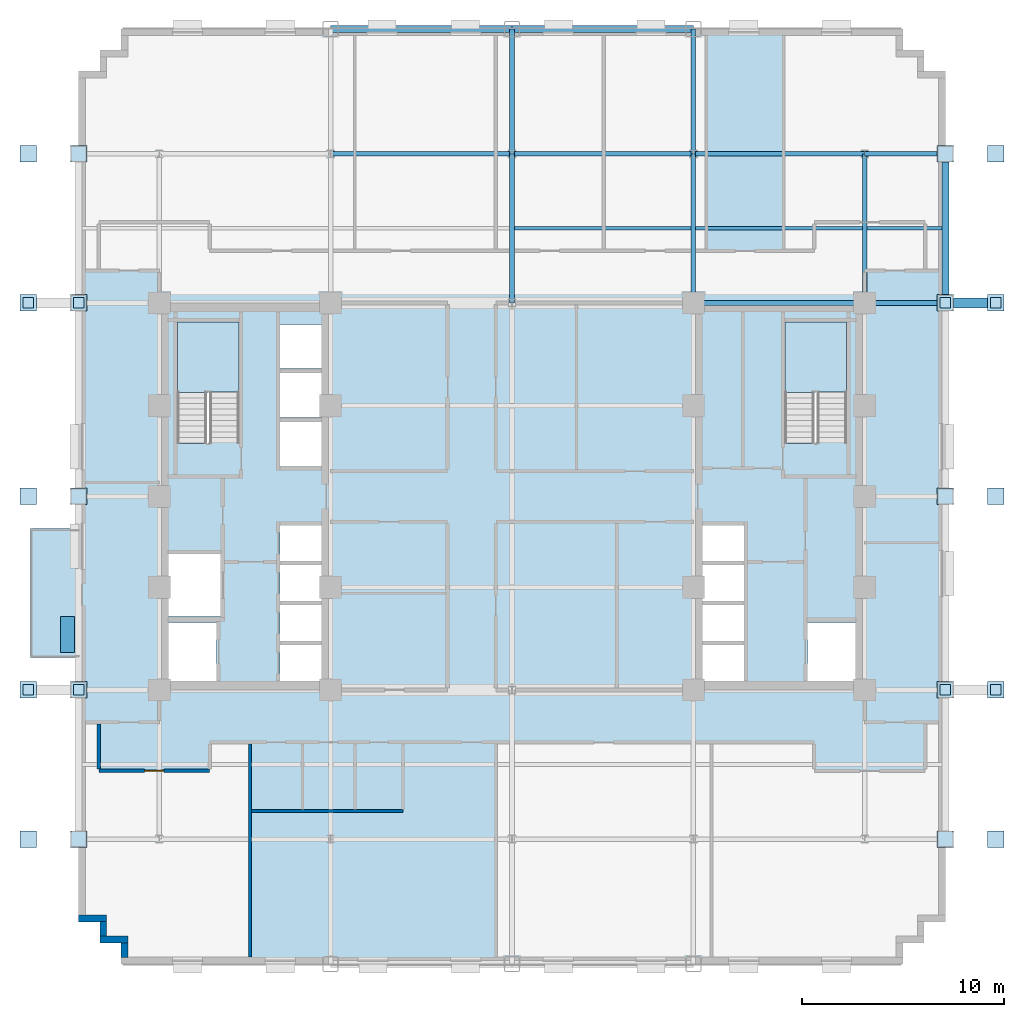
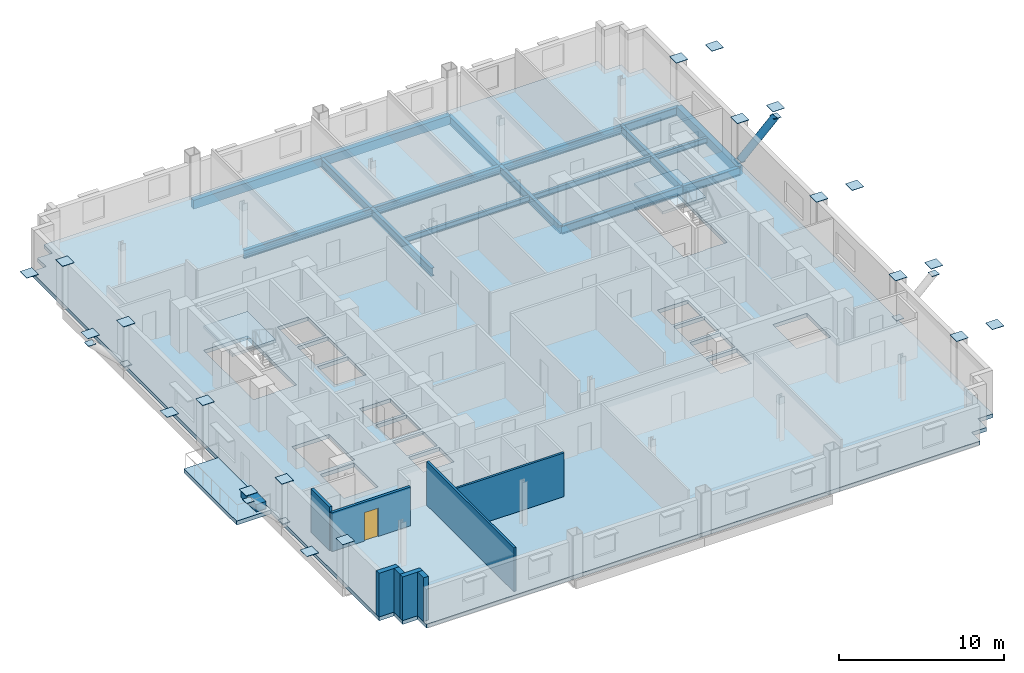
# One storey, part 5 of 13: 29 plates, 17 beams, 8 walls, 4 slabs, 1 door, 1 member, 1 opening, 2 elements without a shape of their own.
"""IFC4 building model written with IfcOpenShell, lengths in metres."""

from ifc_helpers import new_model, si_unit, direction, frame, frame_2d, origin, origin_2d, place, context, subcontext, project, spatial, polyline, rectangle, hollow_circle, i_section, outline, extrude, source, transform, mapped, material, layer, layer_set, material_profile, profile_set, type_object, type_shapes, element, fill, aggregate, save


model = new_model("IFC4")

# Units and contexts
model_context = context("Model", 3, precision=1e-05, world=origin(), true_north=direction((0.0, 1.0)))
body_context = subcontext(model_context, "Body", "Model", "MODEL_VIEW")
ifc_project = project(units=[si_unit("LENGTHUNIT", "METRE"), si_unit("AREAUNIT", "SQUARE_METRE"), si_unit("VOLUMEUNIT", "CUBIC_METRE"), si_unit("PLANEANGLEUNIT", "RADIAN"), si_unit("MASSUNIT", "GRAM", prefix="KILO")], contexts=[model_context])

# Site, building, storey
site_placement = place(None, origin())
site = spatial("IfcSite", under=ifc_project, at=site_placement, CompositionType="ELEMENT")
building_placement = place(site_placement, origin())
building = spatial("IfcBuilding", under=site, at=building_placement, Name="Nuvemarco Arch Tower", CompositionType="ELEMENT")
storey_placement = place(building_placement, frame((0.0, 0.0, 82.35009765625)))
storey = spatial("IfcBuildingStorey", under=building, at=storey_placement, Name="L21", CompositionType="ELEMENT", Elevation=82.35009765625)

# Beams
ifc_material_1 = material(Name="Steel S355", Category="steel")
ifc_material_profile_1 = material_profile(ifc_material_1, i_section(OverallWidth=0.22998046875, OverallDepth=0.616943359375, WebThickness=0.01318359375, FlangeThickness=0.022216796875, FilletRadius=0.01611328125, at=origin_2d()), Name="W610x140")
ifc_profile_set_1 = profile_set([ifc_material_profile_1], Name="Steel S355")
beam_type_1 = type_object("IfcBeamType", Name="BM-GIRD-610", PredefinedType="BEAM", material=ifc_profile_set_1)
beam_1_placement = place(storey_placement, frame((0.0, 9.60009765625, -0.588623046875), z_axis=(0.0, 1.0, 0.0), x_axis=(-1.0, 0.0, 0.0)))
element("IfcBeam", 1, at=beam_1_placement, inside=storey, type_object=beam_type_1, Name="L21 structural beam BGNS_L21_0_+0.0_+9.6", PredefinedType="BEAM", context=body_context, shape_type="SweptSolid", body=[
    extrude(i_section(OverallWidth=0.22998046875, OverallDepth=0.616943359375, WebThickness=0.01318359375, FlangeThickness=0.022216796875, FilletRadius=0.01611328125, at=origin_2d()), origin(), (0.0, 0.0, 1.0), 7.39990234375),
])
beam_2_placement = place(storey_placement, frame((0.0, 17.0, -0.588623046875), z_axis=(0.0, 1.0, 0.0), x_axis=(-1.0, 0.0, 0.0)))
element("IfcBeam", 2, at=beam_2_placement, inside=storey, type_object=beam_type_1, Name="L21 structural beam BGNS_L21_0_+0.0_+17.0", PredefinedType="BEAM", context=body_context, shape_type="SweptSolid", body=[
    extrude(i_section(OverallWidth=0.22998046875, OverallDepth=0.616943359375, WebThickness=0.01318359375, FlangeThickness=0.022216796875, FilletRadius=0.01611328125, at=origin_2d()), origin(), (0.0, 0.0, 1.0), 6.199951171875),
])
beam_3_placement = place(storey_placement, frame((9.0, 9.60009765625, -0.588623046875), z_axis=(0.0, 1.0, 0.0), x_axis=(-1.0, 0.0, 0.0)))
element("IfcBeam", 3, at=beam_3_placement, inside=storey, type_object=beam_type_1, Name="L21 structural beam BGNS_L21_0_+9.0_+9.6", PredefinedType="BEAM", context=body_context, shape_type="SweptSolid", body=[
    extrude(i_section(OverallWidth=0.22998046875, OverallDepth=0.616943359375, WebThickness=0.01318359375, FlangeThickness=0.022216796875, FilletRadius=0.01611328125, at=origin_2d()), origin(), (0.0, 0.0, 1.0), 7.39990234375),
])
beam_4_placement = place(storey_placement, frame((9.0, 17.0, -0.588623046875), z_axis=(0.0, 1.0, 0.0), x_axis=(-1.0, 0.0, 0.0)))
element("IfcBeam", 4, at=beam_4_placement, inside=storey, type_object=beam_type_1, Name="L21 structural beam BGNS_L21_0_+9.0_+17.0", PredefinedType="BEAM", context=body_context, shape_type="SweptSolid", body=[
    extrude(i_section(OverallWidth=0.22998046875, OverallDepth=0.616943359375, WebThickness=0.01318359375, FlangeThickness=0.022216796875, FilletRadius=0.01611328125, at=origin_2d()), origin(), (0.0, 0.0, 1.0), 6.199951171875),
])
beam_5_placement = place(storey_placement, frame((17.5, 9.60009765625, -0.588623046875), z_axis=(0.0, 1.0, 0.0), x_axis=(-1.0, 0.0, 0.0)))
element("IfcBeam", 5, at=beam_5_placement, inside=storey, type_object=beam_type_1, Name="L21 structural beam BGNS_L21_0_+17.5_+9.6", PredefinedType="BEAM", context=body_context, shape_type="SweptSolid", body=[
    extrude(i_section(OverallWidth=0.22998046875, OverallDepth=0.616943359375, WebThickness=0.01318359375, FlangeThickness=0.022216796875, FilletRadius=0.01611328125, at=origin_2d()), origin(), (0.0, 0.0, 1.0), 7.39990234375),
])
beam_6_placement = place(storey_placement, frame((9.0, 9.60009765625, -0.588623046875), z_axis=(1.0, 0.0, 0.0), x_axis=(0.0, 1.0, 0.0)))
element("IfcBeam", 6, at=beam_6_placement, inside=storey, type_object=beam_type_1, Name="L21 structural beam BGEW_L21_0_+9.6_+9.0", PredefinedType="BEAM", context=body_context, shape_type="SweptSolid", body=[
    extrude(i_section(OverallWidth=0.22998046875, OverallDepth=0.616943359375, WebThickness=0.01318359375, FlangeThickness=0.022216796875, FilletRadius=0.01611328125, at=origin_2d()), origin(), (0.0, 0.0, 1.0), 8.5),
])
beam_7_placement = place(storey_placement, frame((17.5, 9.60009765625, -0.588623046875), z_axis=(1.0, 0.0, 0.0), x_axis=(0.0, 1.0, 0.0)))
element("IfcBeam", 7, at=beam_7_placement, inside=storey, type_object=beam_type_1, Name="L21 structural beam BGEW_L21_0_+9.6_+17.5", PredefinedType="BEAM", context=body_context, shape_type="SweptSolid", body=[
    extrude(i_section(OverallWidth=0.22998046875, OverallDepth=0.616943359375, WebThickness=0.01318359375, FlangeThickness=0.022216796875, FilletRadius=0.01611328125, at=origin_2d()), origin(), (0.0, 0.0, 1.0), 4.0),
])
for number, where, z_axis, x_axis, name in (
    (8, (-9.0, 17.0, -0.588623046875), (1.0, 0.0, 0.0), (0.0, 1.0, 0.0), "L21 structural beam BGEW_L21_0_+17.0_-9.0"),
    (9, (0.0, 17.0, -0.588623046875), (1.0, 0.0, 0.0), (0.0, 1.0, 0.0), "L21 structural beam BGEW_L21_0_+17.0_+0.0"),
):
    element("IfcBeam", number, at=place(storey_placement, frame(where, z_axis=z_axis, x_axis=x_axis)), inside=storey, type_object=beam_type_1, Name=name, PredefinedType="BEAM", context=body_context, shape_type="SweptSolid", body=[
        extrude(i_section(OverallWidth=0.22998046875, OverallDepth=0.616943359375, WebThickness=0.01318359375, FlangeThickness=0.022216796875, FilletRadius=0.01611328125, at=origin_2d()), origin(), (0.0, 0.0, 1.0), 9.0),
    ])
beam_8_placement = place(storey_placement, frame((9.0, 17.0, -0.588623046875), z_axis=(1.0, 0.0, 0.0), x_axis=(0.0, 1.0, 0.0)))
element("IfcBeam", 10, at=beam_8_placement, inside=storey, type_object=beam_type_1, Name="L21 structural beam BGEW_L21_0_+17.0_+9.0", PredefinedType="BEAM", context=body_context, shape_type="SweptSolid", body=[
    extrude(i_section(OverallWidth=0.22998046875, OverallDepth=0.616943359375, WebThickness=0.01318359375, FlangeThickness=0.022216796875, FilletRadius=0.01611328125, at=origin_2d()), origin(), (0.0, 0.0, 1.0), 8.5),
])
beam_9_placement = place(storey_placement, frame((17.5, 17.0, -0.588623046875), z_axis=(1.0, 0.0, 0.0), x_axis=(0.0, 1.0, 0.0)))
element("IfcBeam", 11, at=beam_9_placement, inside=storey, type_object=beam_type_1, Name="L21 structural beam BGEW_L21_0_+17.0_+17.5", PredefinedType="BEAM", context=body_context, shape_type="SweptSolid", body=[
    extrude(i_section(OverallWidth=0.22998046875, OverallDepth=0.616943359375, WebThickness=0.01318359375, FlangeThickness=0.022216796875, FilletRadius=0.01611328125, at=origin_2d()), origin(), (0.0, 0.0, 1.0), 4.0),
])
ifc_material_profile_2 = material_profile(ifc_material_1, i_section(OverallWidth=0.179931640625, OverallDepth=0.4130859375, WebThickness=0.009765625, FlangeThickness=0.01611328125, FilletRadius=0.014892578125, at=origin_2d()), Name="W410x75")
ifc_profile_set_2 = profile_set([ifc_material_profile_2], Name="Steel S355")
beam_type_2 = type_object("IfcBeamType", Name="BM-JOIST-410", PredefinedType="JOIST", material=ifc_profile_set_2)
beam_10_placement = place(storey_placement, frame((0.114990234375, 13.300048828125, -0.486572265625), z_axis=(1.0, 0.0, 0.0), x_axis=(0.0, 1.0, 0.0)))
element("IfcBeam", 12, at=beam_10_placement, inside=storey, type_object=beam_type_2, Name="L21 structural beam BJ_L21_0_+13.3_+0.0", PredefinedType="JOIST", context=body_context, shape_type="SweptSolid", body=[
    extrude(i_section(OverallWidth=0.179931640625, OverallDepth=0.4130859375, WebThickness=0.009765625, FlangeThickness=0.01611328125, FilletRadius=0.014892578125, at=origin_2d()), origin(), (0.0, 0.0, 1.0), 8.77001953125),
])
beam_11_placement = place(storey_placement, frame((9.114990234375, 13.300048828125, -0.486572265625), z_axis=(1.0, 0.0, 0.0), x_axis=(0.0, 1.0, 0.0)))
element("IfcBeam", 13, at=beam_11_placement, inside=storey, type_object=beam_type_2, Name="L21 structural beam BJ_L21_0_+13.3_+9.0", PredefinedType="JOIST", context=body_context, shape_type="SweptSolid", body=[
    extrude(i_section(OverallWidth=0.179931640625, OverallDepth=0.4130859375, WebThickness=0.009765625, FlangeThickness=0.01611328125, FilletRadius=0.014892578125, at=origin_2d()), origin(), (0.0, 0.0, 1.0), 8.27001953125),
])
beam_12_placement = place(storey_placement, frame((17.614990234375, 13.300048828125, -0.486572265625), z_axis=(1.0, 0.0, 0.0), x_axis=(0.0, 1.0, 0.0)))
element("IfcBeam", 14, at=beam_12_placement, inside=storey, type_object=beam_type_2, Name="L21 structural beam BJ_L21_0_+13.3_+17.5", PredefinedType="JOIST", context=body_context, shape_type="SweptSolid", body=[
    extrude(i_section(OverallWidth=0.179931640625, OverallDepth=0.4130859375, WebThickness=0.009765625, FlangeThickness=0.01611328125, FilletRadius=0.014892578125, at=origin_2d()), origin(), (0.0, 0.0, 1.0), 3.7099609375),
])
ifc_material_2 = material(Name="Precast concrete C45/55", Category="concrete")
ifc_material_profile_3 = material_profile(ifc_material_2, rectangle(XDim=0.35009765625, YDim=0.64990234375, at=origin_2d()), Name="PC-SP-350x650")
ifc_profile_set_3 = profile_set([ifc_material_profile_3], Name="Precast concrete C45/55")
beam_type_3 = type_object("IfcBeamType", Name="BM-SPAN-RC", PredefinedType="SPANDREL", material=ifc_profile_set_3)
beam_13_placement = place(storey_placement, frame((21.5, 9.60009765625, -0.60498046875), z_axis=(0.0, 1.0, 0.0), x_axis=(-1.0, 0.0, 0.0)))
element("IfcBeam", 15, at=beam_13_placement, inside=storey, type_object=beam_type_3, Name="L21 structural beam BGNS_L21_0_+21.5_+9.6", PredefinedType="SPANDREL", context=body_context, shape_type="SweptSolid", body=[
    extrude(rectangle(XDim=0.35009765625, YDim=0.64990234375, at=origin_2d()), origin(), (0.0, 0.0, 1.0), 7.39990234375),
])
for number, where, z_axis, x_axis, name in (
    (16, (-9.0, 23.199951171875, -0.60498046875), (1.0, 0.0, 0.0), (0.0, 1.0, 0.0), "L21 structural beam BGEW_L21_0_+23.2_-9.0"),
    (17, (0.0, 23.199951171875, -0.60498046875), (1.0, 0.0, 0.0), (0.0, 1.0, 0.0), "L21 structural beam BGEW_L21_0_+23.2_+0.0"),
):
    element("IfcBeam", number, at=place(storey_placement, frame(where, z_axis=z_axis, x_axis=x_axis)), inside=storey, type_object=beam_type_3, Name=name, PredefinedType="SPANDREL", context=body_context, shape_type="SweptSolid", body=[
        extrude(rectangle(XDim=0.35009765625, YDim=0.64990234375, at=origin_2d()), origin(), (0.0, 0.0, 1.0), 9.0),
    ])

# Member
ifc_material_profile_4 = material_profile(ifc_material_1, hollow_circle(Radius=0.25390625, WallThickness=0.031982421875, at=origin_2d()), Name="CHS508x32")
ifc_profile_set_4 = profile_set([ifc_material_profile_4], Name="Steel S355")
member_type = type_object("IfcMemberType", Name="MB-RAKER-CANT", PredefinedType="STRUT", material=ifc_profile_set_4)
member_placement = place(storey_placement, frame((21.5, 9.60009765625, 0.14990234375), z_axis=(0.721401399021, 0.0, 0.692517163318), x_axis=(0.0, 1.0, 0.0)))
element("IfcMember", 18, at=member_placement, inside=storey, type_object=member_type, Name="L21 outward-step steel raker strut E", PredefinedType="STRUT", context=body_context, shape_type="SweptSolid", body=[
    extrude(hollow_circle(Radius=0.25390625, WallThickness=0.031982421875, at=origin_2d()), origin(), (0.0, 0.0, 1.0), 3.465576171875),
])

# Slab
ifc_material_3 = material(Name="Concrete C50/60", Category="concrete")
ifc_layer_1 = layer(ifc_material_3, 0.280029296875, Name="SL-FLR-280")
ifc_layer_set_1 = layer_set([ifc_layer_1], Name="Concrete C50/60")
slab_type_1 = type_object("IfcSlabType", Name="SL-FLR-280", PredefinedType="FLOOR", material=ifc_layer_set_1)
slab_1_placement = place(storey_placement, frame((0.0, 0.0, -0.280029296875)))
element("IfcSlab", 19, at=slab_1_placement, inside=storey, type_object=slab_type_1, Name="L21 structural floor slab", PredefinedType="FLOOR", context=body_context, shape_type="SweptSolid", body=[
    extrude(outline(polyline([(-19.39990234375, -23.199951171875), (19.39990234375, -23.199951171875), (19.39990234375, -22.14990234375), (20.449951171875, -22.14990234375), (20.449951171875, -21.10009765625), (21.5, -21.10009765625), (21.5, 21.10009765625), (20.449951171875, 21.10009765625), (20.449951171875, 22.14990234375), (19.39990234375, 22.14990234375), (19.39990234375, 23.199951171875), (-19.39990234375, 23.199951171875), (-19.39990234375, 22.14990234375), (-20.449951171875, 22.14990234375), (-20.449951171875, 21.10009765625), (-21.5, 21.10009765625), (-21.5, -21.10009765625), (-20.449951171875, -21.10009765625), (-20.449951171875, -22.14990234375), (-19.39990234375, -22.14990234375), (-19.39990234375, -23.199951171875)]), holes=[polyline([(-13.5400390625, 2.669921875), (-13.5400390625, 8.64990234375), (-16.60009765625, 8.64990234375), (-16.60009765625, 2.630615234375), (-15.070068359375, 2.630615234375), (-15.070068359375, 2.669921875), (-13.5400390625, 2.669921875)]), polyline([(16.60009765625, 2.669921875), (16.60009765625, 8.64990234375), (13.5400390625, 8.64990234375), (13.5400390625, 2.630615234375), (15.070068359375, 2.630615234375), (15.070068359375, 2.669921875), (16.60009765625, 2.669921875)]), polyline([(-17.050048828125, -9.14990234375), (-14.64990234375, -9.14990234375), (-14.64990234375, -6.25), (-17.050048828125, -6.25), (-17.050048828125, -9.14990234375)]), polyline([(-17.050048828125, -5.949951171875), (-14.449951171875, -5.949951171875), (-14.449951171875, -2.85009765625), (-17.050048828125, -2.85009765625), (-17.050048828125, -5.949951171875)]), polyline([(-11.5, -9.14990234375), (-9.35009765625, -9.14990234375), (-9.35009765625, -7.3701171875), (-11.5, -7.3701171875), (-11.5, -9.14990234375)]), polyline([(-11.5, -7.169921875), (-9.35009765625, -7.169921875), (-9.35009765625, -5.389892578125), (-11.5, -5.389892578125), (-11.5, -7.169921875)]), polyline([(-11.5, -5.18994140625), (-9.35009765625, -5.18994140625), (-9.35009765625, -3.409912109375), (-11.5, -3.409912109375), (-11.5, -5.18994140625)]), polyline([(-11.5, -3.2099609375), (-9.35009765625, -3.2099609375), (-9.35009765625, -1.429931640625), (-11.5, -1.429931640625), (-11.5, -3.2099609375)]), polyline([(-11.5, 1.5), (-9.35009765625, 1.5), (-9.35009765625, 3.699951171875), (-11.5, 3.699951171875), (-11.5, 1.5)]), polyline([(-11.5, 3.919921875), (-9.35009765625, 3.919921875), (-9.35009765625, 6.1201171875), (-11.5, 6.1201171875), (-11.5, 3.919921875)]), polyline([(-11.5, 6.340087890625), (-9.35009765625, 6.340087890625), (-9.35009765625, 8.5400390625), (-11.5, 8.5400390625), (-11.5, 6.340087890625)]), polyline([(14.64990234375, -9.14990234375), (17.050048828125, -9.14990234375), (17.050048828125, -6.25), (14.64990234375, -6.25), (14.64990234375, -9.14990234375)]), polyline([(9.35009765625, -9.14990234375), (11.5, -9.14990234375), (11.5, -7.3701171875), (9.35009765625, -7.3701171875), (9.35009765625, -9.14990234375)]), polyline([(9.35009765625, -7.169921875), (11.5, -7.169921875), (11.5, -5.389892578125), (9.35009765625, -5.389892578125), (9.35009765625, -7.169921875)]), polyline([(9.35009765625, -5.18994140625), (11.5, -5.18994140625), (11.5, -3.409912109375), (9.35009765625, -3.409912109375), (9.35009765625, -5.18994140625)]), polyline([(9.35009765625, -3.2099609375), (11.5, -3.2099609375), (11.5, -1.429931640625), (9.35009765625, -1.429931640625), (9.35009765625, -3.2099609375)])]), origin(), (0.0, 0.0, 1.0), 0.280029296875),
])

# Stair, slab
stair_type = type_object("IfcStairType", Name="ST-CORE-20R", PredefinedType="HALF_TURN_STAIR", material=ifc_material_2)
stair_1_placement = place(storey_placement, origin())
stair_1 = element("IfcStair", 20, at=stair_1_placement, inside=storey, type_object=stair_type, Name="L21 Protected Exit Stair ST-1", PredefinedType="HALF_TURN_STAIR")
ifc_layer_2 = layer(ifc_material_2, 0.199951171875, Name="SL-LANDING-200")
ifc_layer_set_2 = layer_set([ifc_layer_2], Name="Precast concrete C45/55")
slab_type_2 = type_object("IfcSlabType", Name="SL-LANDING-200", PredefinedType="LANDING", material=ifc_layer_set_2)
slab_2_placement = place(storey_placement, frame((0.0, 0.0, 1.625)))
slab_2 = element("IfcSlab", 21, at=slab_2_placement, type_object=slab_type_2, Name="ST-20R landing 1", PredefinedType="LANDING", context=body_context, shape_type="SweptSolid", body=[
    extrude(outline(polyline([(-13.5400390625, 5.189453125), (-13.5400390625, 8.64990234375), (-16.60009765625, 8.64990234375), (-16.60009765625, 5.169921875), (-15.070068359375, 5.169921875), (-15.070068359375, 5.189453125), (-13.5400390625, 5.189453125)])), origin(), (0.0, 0.0, 1.0), 0.199951171875),
])
aggregate(stair_1, [slab_2])

stair_2_placement = place(storey_placement, origin())
stair_2 = element("IfcStair", 22, at=stair_2_placement, inside=storey, type_object=stair_type, Name="L21 Protected Exit Stair ST-2", PredefinedType="HALF_TURN_STAIR")
slab_3_placement = place(storey_placement, frame((0.0, 0.0, 1.625)))
slab_3 = element("IfcSlab", 23, at=slab_3_placement, type_object=slab_type_2, Name="ST-20R landing 1", PredefinedType="LANDING", context=body_context, shape_type="SweptSolid", body=[
    extrude(outline(polyline([(16.60009765625, 5.189453125), (16.60009765625, 8.64990234375), (13.5400390625, 8.64990234375), (13.5400390625, 5.169921875), (15.070068359375, 5.169921875), (15.070068359375, 5.189453125), (16.60009765625, 5.189453125)])), origin(), (0.0, 0.0, 1.0), 0.199951171875),
])
aggregate(stair_2, [slab_3])

# Slab
ifc_layer_3 = layer(ifc_material_3, 0.294921875, Name="SL-TR4")
ifc_layer_set_3 = layer_set([ifc_layer_3], Name="Concrete C50/60")
slab_type_3 = type_object("IfcSlabType", Name="SL-TR4", PredefinedType="FLOOR", material=ifc_layer_set_3)
slab_4_placement = place(storey_placement, frame((0.0, 0.0, -0.295166015625)))
element("IfcSlab", 24, at=slab_4_placement, inside=storey, type_object=slab_type_3, Name="L21 outdoor spiral terrace slab 1", PredefinedType="FLOOR", context=body_context, shape_type="SweptSolid", body=[
    extrude(outline(polyline([(-23.89990234375, -8.0), (-21.5, -8.0), (-21.5, -1.60009765625), (-23.89990234375, -1.60009765625), (-23.89990234375, -8.0)])), origin(), (0.0, 0.0, 1.0), 0.295166015625),
])

# Plates
ifc_material_4 = material(Name="Steel S460", Category="steel")
ifc_layer_4 = layer(ifc_material_4, 0.030029296875, Name="PL-CAP-800-EXT")
ifc_layer_set_4 = layer_set([ifc_layer_4], Name="Steel S460")
plate_type_1 = type_object("IfcPlateType", Name="PL-CAP-800-EXT", PredefinedType="SHEET", material=ifc_layer_set_4)
shared_shape_1 = source(origin(), body_context, "Body", "SweptSolid", [
    extrude(rectangle(XDim=0.820068359375, YDim=0.820068359375, at=origin_2d()), origin(), (0.0, 0.0, 1.0), 0.030029296875),
])
type_shapes(plate_type_1, [shared_shape_1])
for number, where, z_axis, x_axis, name in (
    (25, (-21.5, -17.0, 3.23486328125), (0.0, 0.0, 1.0), (1.0, 0.0, 0.0), "Hollow steel end-cap plate COL-L21-CX_-21.5_-17.0_TOP"),
    (26, (-21.5, -9.60009765625, 3.23486328125), (0.0, 0.0, 1.0), (1.0, 0.0, 0.0), "Hollow steel end-cap plate COL-L21-CX_-21.5_-9.6_TOP"),
    (27, (-21.5, 0.0, 3.23486328125), (0.0, 0.0, 1.0), (1.0, 0.0, 0.0), "Hollow steel end-cap plate COL-L21-CX_-21.5_+0.0_TOP"),
    (28, (-21.5, 9.60009765625, 3.23486328125), (0.0, 0.0, 1.0), (1.0, 0.0, 0.0), "Hollow steel end-cap plate COL-L21-CX_-21.5_+9.6_TOP"),
    (29, (-21.5, 17.0, 3.23486328125), (0.0, 0.0, 1.0), (1.0, 0.0, 0.0), "Hollow steel end-cap plate COL-L21-CX_-21.5_+17.0_TOP"),
    (30, (21.5, -17.0, 3.23486328125), (0.0, 0.0, 1.0), (1.0, 0.0, 0.0), "Hollow steel end-cap plate COL-L21-CX_+21.5_-17.0_TOP"),
    (31, (21.5, -9.60009765625, 3.23486328125), (0.0, 0.0, 1.0), (1.0, 0.0, 0.0), "Hollow steel end-cap plate COL-L21-CX_+21.5_-9.6_TOP"),
    (32, (21.5, 0.0, 3.23486328125), (0.0, 0.0, 1.0), (1.0, 0.0, 0.0), "Hollow steel end-cap plate COL-L21-CX_+21.5_+0.0_TOP"),
    (33, (21.5, 9.60009765625, 3.23486328125), (0.0, 0.0, 1.0), (1.0, 0.0, 0.0), "Hollow steel end-cap plate COL-L21-CX_+21.5_+9.6_TOP"),
    (34, (21.5, 17.0, 3.23486328125), (0.0, 0.0, 1.0), (1.0, 0.0, 0.0), "Hollow steel end-cap plate COL-L21-CX_+21.5_+17.0_TOP"),
    (35, (-24.0, -17.0, 3.23486328125), (0.0, 0.0, 1.0), (1.0, 0.0, 0.0), "Hollow steel end-cap plate COL-L22-CX_-24.0_-17.0_BOT"),
    (36, (-24.0, -9.60009765625, 3.23486328125), (0.0, 0.0, 1.0), (1.0, 0.0, 0.0), "Hollow steel end-cap plate COL-L22-CX_-24.0_-9.6_BOT"),
    (37, (-24.0, 0.0, 3.23486328125), (0.0, 0.0, 1.0), (1.0, 0.0, 0.0), "Hollow steel end-cap plate COL-L22-CX_-24.0_+0.0_BOT"),
    (38, (-24.0, 9.60009765625, 3.23486328125), (0.0, 0.0, 1.0), (1.0, 0.0, 0.0), "Hollow steel end-cap plate COL-L22-CX_-24.0_+9.6_BOT"),
    (39, (-24.0, 17.0, 3.23486328125), (0.0, 0.0, 1.0), (1.0, 0.0, 0.0), "Hollow steel end-cap plate COL-L22-CX_-24.0_+17.0_BOT"),
    (40, (24.0, -17.0, 3.23486328125), (0.0, 0.0, 1.0), (1.0, 0.0, 0.0), "Hollow steel end-cap plate COL-L22-CX_+24.0_-17.0_BOT"),
    (41, (24.0, -9.60009765625, 3.23486328125), (0.0, 0.0, 1.0), (1.0, 0.0, 0.0), "Hollow steel end-cap plate COL-L22-CX_+24.0_-9.6_BOT"),
    (42, (24.0, 0.0, 3.23486328125), (0.0, 0.0, 1.0), (1.0, 0.0, 0.0), "Hollow steel end-cap plate COL-L22-CX_+24.0_+0.0_BOT"),
    (43, (24.0, 9.60009765625, 3.23486328125), (0.0, 0.0, 1.0), (1.0, 0.0, 0.0), "Hollow steel end-cap plate COL-L22-CX_+24.0_+9.6_BOT"),
    (44, (24.0, 17.0, 3.23486328125), (0.0, 0.0, 1.0), (1.0, 0.0, 0.0), "Hollow steel end-cap plate COL-L22-CX_+24.0_+17.0_BOT"),
):
    element("IfcPlate", number, at=place(storey_placement, frame(where, z_axis=z_axis, x_axis=x_axis)), inside=storey, type_object=plate_type_1, Name=name, PredefinedType="SHEET", context=body_context, shape_type="MappedRepresentation", body=[
        mapped(shared_shape_1, transform((0.0, 0.0, 0.0), scale=1.0)),
    ])
ifc_layer_5 = layer(ifc_material_1, 0.030029296875, Name="PL-CAP-500-EXT")
ifc_layer_set_5 = layer_set([ifc_layer_5], Name="Steel S355")
plate_type_2 = type_object("IfcPlateType", Name="PL-CAP-500-EXT", PredefinedType="SHEET", material=ifc_layer_set_5)
shared_shape_2 = source(origin(), body_context, "Body", "SweptSolid", [
    extrude(rectangle(XDim=0.52001953125, YDim=0.52001953125, at=origin_2d()), origin(), (0.0, 0.0, 1.0), 0.030029296875),
])
type_shapes(plate_type_2, [shared_shape_2])
for number, where, z_axis, x_axis, name in (
    (45, (-21.5, -9.60009765625, 0.134765625), (0.0, 0.0, 1.0), (1.0, 0.0, 0.0), "Hollow steel end-cap plate RK_L21_W_-9.6_C0"),
    (46, (-24.0, -9.60009765625, 2.53466796875), (0.0, 0.0, 1.0), (1.0, 0.0, 0.0), "Hollow steel end-cap plate RK_L21_W_-9.6_C1"),
    (47, (21.5, -9.60009765625, 0.134765625), (0.0, 0.0, 1.0), (1.0, 0.0, 0.0), "Hollow steel end-cap plate RK_L21_E_-9.6_C0"),
    (48, (24.0, -9.60009765625, 2.53466796875), (0.0, 0.0, 1.0), (1.0, 0.0, 0.0), "Hollow steel end-cap plate RK_L21_E_-9.6_C1"),
    (49, (-21.5, 9.60009765625, 0.134765625), (0.0, 0.0, 1.0), (1.0, 0.0, 0.0), "Hollow steel end-cap plate RK_L21_W_+9.6_C0"),
    (50, (-24.0, 9.60009765625, 2.53466796875), (0.0, 0.0, 1.0), (1.0, 0.0, 0.0), "Hollow steel end-cap plate RK_L21_W_+9.6_C1"),
    (51, (21.5, 9.60009765625, 0.134765625), (0.0, 0.0, 1.0), (1.0, 0.0, 0.0), "Hollow steel end-cap plate RK_L21_E_+9.6_C0"),
    (52, (24.0, 9.60009765625, 2.53466796875), (0.0, 0.0, 1.0), (1.0, 0.0, 0.0), "Hollow steel end-cap plate RK_L21_E_+9.6_C1"),
):
    element("IfcPlate", number, at=place(storey_placement, frame(where, z_axis=z_axis, x_axis=x_axis)), inside=storey, type_object=plate_type_2, Name=name, PredefinedType="SHEET", context=body_context, shape_type="MappedRepresentation", body=[
        mapped(shared_shape_2, transform((0.0, 0.0, 0.0), scale=1.0)),
    ])
ifc_layer_6 = layer(ifc_material_2, 0.550048828125, Name="Tree Balcony Structural Planter")
ifc_layer_set_6 = layer_set([ifc_layer_6], Name="Precast concrete C45/55")
plate_type_3 = type_object("IfcPlateType", Name="Tree Balcony Structural Planter", PredefinedType="USERDEFINED", material=ifc_layer_set_6)
shared_shape_3 = source(origin(), body_context, "Body", "SweptSolid", [
    extrude(rectangle(XDim=1.800048828125, YDim=0.699951171875, at=origin_2d()), origin(), (0.0, 0.0, 1.0), 0.550048828125),
])
type_shapes(plate_type_3, [shared_shape_3])
plate_placement = place(storey_placement, frame((-22.050048828125, -6.85009765625, 0.0), z_axis=(0.0, 0.0, 1.0), x_axis=(0.0, 1.0, 0.0)))
element("IfcPlate", 53, at=plate_placement, inside=storey, type_object=plate_type_3, Name="L21 Tree Balcony Structural Planter", ObjectType="PLANTER", PredefinedType="USERDEFINED", context=body_context, shape_type="MappedRepresentation", body=[
    mapped(shared_shape_3, transform((0.0, 0.0, 0.0), scale=1.0)),
])

# Walls
ifc_layer_7 = layer(ifc_material_2, 0.340087890625, Name="EW-LOW-340")
ifc_layer_set_7 = layer_set([ifc_layer_7], Name="Precast concrete C45/55")
wall_type_1 = type_object("IfcWallType", Name="EW-LOW-340", PredefinedType="STANDARD", material=ifc_layer_set_7)
wall_1_placement = place(storey_placement, frame((-21.5, -20.929931640625, 0.0), z_axis=(0.0, 0.0, 1.0), x_axis=(1.0, 0.0, 0.0)))
element("IfcWall", 54, at=wall_1_placement, inside=storey, type_object=wall_type_1, Name="L21 exterior precast facade wall 17", PredefinedType="STANDARD", context=body_context, shape_type="SweptSolid", body=[
    extrude(rectangle(XDim=1.389892578125, YDim=0.340087890625, at=frame_2d((0.69482421875, 0.0))), origin(), (0.0, 0.0, 1.0), 3.239990234375),
])
wall_2_placement = place(storey_placement, frame((-20.280029296875, -21.81396484375, 0.0), z_axis=(0.0, 0.0, 1.0), x_axis=(0.0, 1.0, 0.0)))
element("IfcWall", 55, at=wall_2_placement, inside=storey, type_object=wall_type_1, Name="L21 exterior precast facade wall 18", PredefinedType="STANDARD", context=body_context, shape_type="SweptSolid", body=[
    extrude(rectangle(XDim=0.718017578125, YDim=0.340087890625, at=frame_2d((0.35888671875, 0.0))), origin(), (0.0, 0.0, 1.0), 3.239990234375),
])
wall_3_placement = place(storey_placement, frame((-20.449951171875, -21.97998046875, 0.0), z_axis=(0.0, 0.0, 1.0), x_axis=(1.0, 0.0, 0.0)))
element("IfcWall", 56, at=wall_3_placement, inside=storey, type_object=wall_type_1, Name="L21 exterior precast facade wall 19", PredefinedType="STANDARD", context=body_context, shape_type="SweptSolid", body=[
    extrude(rectangle(XDim=1.389892578125, YDim=0.340087890625, at=frame_2d((0.69482421875, 0.0))), origin(), (0.0, 0.0, 1.0), 3.239990234375),
])
wall_4_placement = place(storey_placement, frame((-19.22998046875, -22.864013671875, 0.0), z_axis=(0.0, 0.0, 1.0), x_axis=(0.0, 1.0, 0.0)))
element("IfcWall", 57, at=wall_4_placement, inside=storey, type_object=wall_type_1, Name="L21 exterior precast facade wall 20", PredefinedType="STANDARD", context=body_context, shape_type="SweptSolid", body=[
    extrude(rectangle(XDim=0.718017578125, YDim=0.340087890625, at=frame_2d((0.35888671875, 0.0))), origin(), (0.0, 0.0, 1.0), 3.239990234375),
])

# Wall, opening, door
ifc_material_5 = material(Name="Fire-rated gypsum drywall partition")
ifc_layer_8 = layer(ifc_material_5, 0.179931640625, Name="WL-CORR-180")
ifc_layer_set_8 = layer_set([ifc_layer_8], Name="Fire-rated gypsum drywall partition")
wall_type_2 = type_object("IfcWallType", Name="WL-CORR-180", PredefinedType="PARTITIONING", material=ifc_layer_set_8)
wall_5_placement = place(storey_placement, frame((-20.5, -13.60009765625, 0.0), z_axis=(0.0, 0.0, 1.0), x_axis=(1.0, 0.0, 0.0)))
wall_5 = element("IfcWall", 58, at=wall_5_placement, inside=storey, type_object=wall_type_2, Name="L21 interior wall IW-L21-002", PredefinedType="PARTITIONING", context=body_context, shape_type="SweptSolid", body=[
    extrude(rectangle(XDim=5.5, YDim=0.179931640625, at=frame_2d((2.75, 0.0))), origin(), (0.0, 0.0, 1.0), 2.8779296875),
])
opening_placement = place(wall_5_placement, frame((2.27001953125, 0.0, 0.0)))
opening = element("IfcOpeningElement", 59, at=opening_placement, cuts=wall_5, Name="Opening FD-5", PredefinedType="OPENING", context=body_context, shape_type="SweptSolid", body=[
    extrude(rectangle(XDim=0.9599609375, YDim=2.10009765625, at=frame_2d((0.47998046875, 1.050048828125))), frame((0.0, 0.099853515625, 0.0), z_axis=(0.0, -1.0, 0.0), x_axis=(1.0, 0.0, 0.0)), (0.0, 0.0, 1.0), 0.199951171875),
])
ifc_material_6 = material(Name="Timber fire door", Category="wood")
door_type = type_object("IfcDoorType", Name="DR-CORR-FD", OperationType="NOTDEFINED", PredefinedType="DOOR", material=ifc_material_6)
shared_shape_4 = source(origin(), body_context, "Body", "SweptSolid", [
    extrude(rectangle(XDim=0.9599609375, YDim=2.10009765625, at=frame_2d((0.47998046875, 1.050048828125))), frame((0.0, 0.02490234375, 0.0), z_axis=(0.0, -1.0, 0.0), x_axis=(1.0, 0.0, 0.0)), (0.0, 0.0, 1.0), 0.050048828125),
])
type_shapes(door_type, [shared_shape_4])
door_placement = place(opening_placement, origin())
door = element("IfcDoor", 60, at=door_placement, inside=storey, type_object=door_type, Name="L21 door DR-L21-S_1", OperationType="SINGLE_SWING_LEFT", OverallHeight=2.10009765625, OverallWidth=0.9599609375, PredefinedType="DOOR", context=body_context, shape_type="MappedRepresentation", body=[
    mapped(shared_shape_4, transform((0.0, 0.0, 0.0), scale=1.0)),
])
fill(opening, door)

# Walls
wall_6_placement = place(storey_placement, frame((-20.5, -13.513916015625, 0.0), z_axis=(0.0, 0.0, 1.0), x_axis=(0.0, 1.0, 0.0)))
element("IfcWall", 61, at=wall_6_placement, inside=storey, type_object=wall_type_2, Name="L21 interior wall IW-L21-025", PredefinedType="PARTITIONING", context=body_context, shape_type="SweptSolid", body=[
    extrude(rectangle(XDim=2.22802734375, YDim=0.179931640625, at=frame_2d((1.114013671875, 0.0))), origin(), (0.0, 0.0, 1.0), 3.239990234375),
])
ifc_material_7 = material(Name="Moisture-resistant gypsum partition")
ifc_layer_9 = layer(ifc_material_7, 0.14990234375, Name="WL-WET-150")
ifc_layer_set_9 = layer_set([ifc_layer_9], Name="Moisture-resistant gypsum partition")
wall_type_3 = type_object("IfcWallType", Name="WL-WET-150", PredefinedType="PARTITIONING", material=ifc_layer_set_9)
wall_7_placement = place(storey_placement, frame((-12.93408203125, -15.60009765625, 0.0), z_axis=(0.0, 0.0, 1.0), x_axis=(1.0, 0.0, 0.0)))
element("IfcWall", 62, at=wall_7_placement, inside=storey, type_object=wall_type_3, Name="L21 interior wall IW-L21-001", PredefinedType="PARTITIONING", context=body_context, shape_type="SweptSolid", body=[
    extrude(rectangle(XDim=7.5341796875, YDim=0.14990234375, at=frame_2d((3.76708984375, 0.0))), origin(), (0.0, 0.0, 1.0), 3.239990234375),
])
wall_8_placement = place(storey_placement, frame((-13.0, -22.860107421875, 0.0), z_axis=(0.0, 0.0, 1.0), x_axis=(0.0, 1.0, 0.0)))
element("IfcWall", 63, at=wall_8_placement, inside=storey, type_object=wall_type_3, Name="L21 interior wall IW-L21-031", PredefinedType="PARTITIONING", context=body_context, shape_type="SweptSolid", body=[
    extrude(rectangle(XDim=10.57421875, YDim=0.14990234375, at=frame_2d((5.287109375, 0.0))), origin(), (0.0, 0.0, 1.0), 3.239990234375),
])

save(model, "model.ifc")
